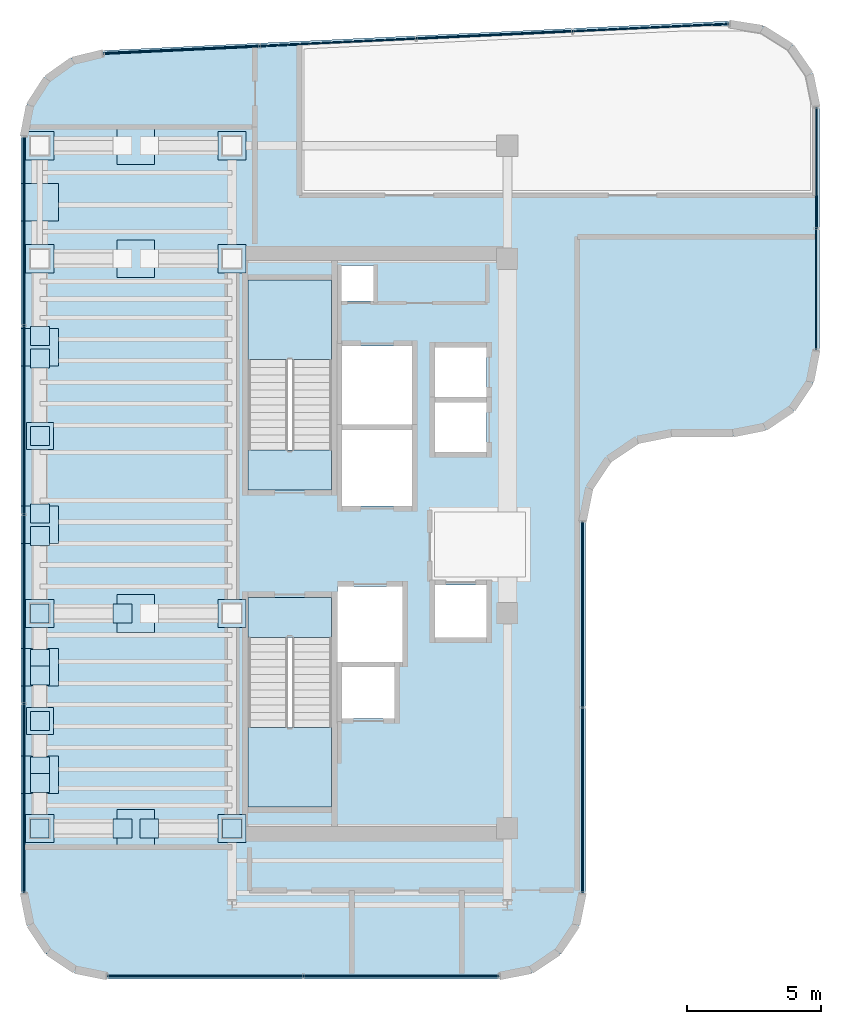
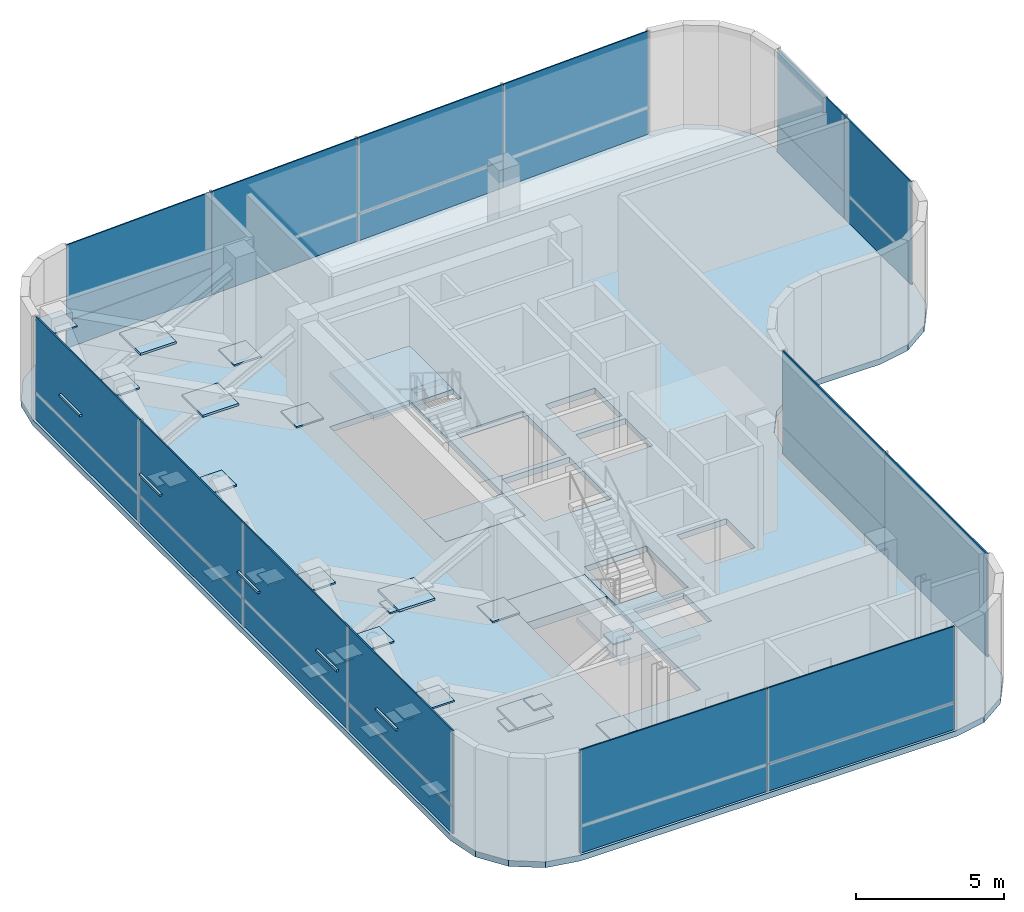
# One storey, part 15 of 19: 56 plates, 5 slabs, 7 elements without a shape of their own.
"""IFC4 building model written with IfcOpenShell, lengths in metres."""

from ifc_helpers import new_model, si_unit, direction, frame, origin, origin_2d, place, context, subcontext, project, spatial, polyline, rectangle, outline, extrude, source, transform, mapped, material, layer, layer_set, type_object, element, aggregate, save


model = new_model("IFC4")

# Units and contexts
model_context = context("Model", 3, precision=1e-05, world=origin(), true_north=direction((0.0, 1.0)))
body_context = subcontext(model_context, "Body", "Model", "MODEL_VIEW")
ifc_project = project(units=[si_unit("LENGTHUNIT", "METRE"), si_unit("AREAUNIT", "SQUARE_METRE"), si_unit("VOLUMEUNIT", "CUBIC_METRE"), si_unit("PLANEANGLEUNIT", "RADIAN"), si_unit("MASSUNIT", "GRAM", prefix="KILO")], contexts=[model_context])

# Site, building, storey
site_placement = place(None, origin())
site = spatial("IfcSite", under=ifc_project, at=site_placement, CompositionType="ELEMENT")
building_placement = place(site_placement, origin())
building = spatial("IfcBuilding", under=site, at=building_placement, Name="Valdorenza Pilgrim Sanctuary Tower", CompositionType="ELEMENT")
storey_placement = place(building_placement, frame((0.0, 0.0, 261.5)))
storey = spatial("IfcBuildingStorey", under=building, at=storey_placement, Name="L68", CompositionType="ELEMENT", Elevation=261.5)

# Slab
ifc_material_1 = material(Name="Concrete C40/50", Category="concrete")
ifc_layer_1 = layer(ifc_material_1, 0.239990234375, Name="Concrete C40/50")
ifc_layer_set_1 = layer_set([ifc_layer_1], Name="Concrete C40/50")
slab_type_1 = type_object("IfcSlabType", Name="SLAB-PLT-240", PredefinedType="FLOOR", material=ifc_layer_set_1)
slab_1_placement = place(storey_placement, frame((0.0, 0.0, -0.239990234375)))
element("IfcSlab", 1, at=slab_1_placement, inside=storey, type_object=slab_type_1, Name="L68 Structural Floor Slab 1", PredefinedType="FLOOR", context=body_context, shape_type="SweptSolid", body=[
    extrude(outline(polyline([(-30.5, 15.147216796875), (-30.2705078125, 16.3369140625), (-29.615478515625, 17.356201171875), (-28.628173828125, 18.05859375), (-27.45068359375, 18.34375), (-4.150634765625, 19.442138671875), (-2.880615234375, 19.243408203125), (-1.791259765625, 18.56103515625), (-1.05810546875, 17.5048828125), (-0.800048828125, 16.24560546875), (-0.800048828125, 7.199951171875), (-1.043701171875, 5.975341796875), (-1.7373046875, 4.937255859375), (-2.775390625, 4.24365234375), (-4.0, 4.0), (-6.300048828125, 4.0), (-7.524658203125, 3.75634765625), (-8.562744140625, 3.062744140625), (-9.25634765625, 2.024658203125), (-9.5, 0.800048828125), (-9.5, -13.0), (-9.74365234375, -14.224609375), (-10.437255859375, -15.2626953125), (-11.475341796875, -15.956298828125), (-12.699951171875, -16.199951171875), (-27.300048828125, -16.199951171875), (-28.524658203125, -15.956298828125), (-29.562744140625, -15.2626953125), (-30.25634765625, -14.224609375), (-30.5, -13.0), (-30.5, 15.147216796875)]), holes=[polyline([(-22.050048828125, -9.800048828125), (-18.93994140625, -9.800048828125), (-18.93994140625, -3.485107421875), (-18.93994140625, -2.0), (-22.050048828125, -2.0), (-22.050048828125, -3.485107421875), (-22.050048828125, -9.800048828125)]), polyline([(-16.60009765625, -6.5), (-16.60009765625, -4.60009765625), (-18.550048828125, -4.60009765625), (-18.550048828125, -6.5), (-16.60009765625, -6.5)]), polyline([(-22.050048828125, 2.0), (-18.93994140625, 2.0), (-18.93994140625, 3.485107421875), (-18.93994140625, 9.800048828125), (-22.050048828125, 9.800048828125), (-22.050048828125, 3.485107421875), (-22.050048828125, 2.0)]), polyline([(-17.360107421875, 9.030029296875), (-17.360107421875, 10.35009765625), (-18.570068359375, 10.35009765625), (-18.570068359375, 9.030029296875), (-17.360107421875, 9.030029296875)]), polyline([(-16.300048828125, -1.60009765625), (-18.719970703125, -1.60009765625), (-18.719970703125, -4.39990234375), (-16.300048828125, -4.39990234375), (-16.300048828125, -1.60009765625)]), polyline([(-13.179931640625, -3.5), (-13.179931640625, -1.550048828125), (-15.10009765625, -1.550048828125), (-15.10009765625, -3.5), (-13.179931640625, -3.5)]), polyline([(-15.949951171875, 1.39990234375), (-15.949951171875, 4.22509765625), (-18.550048828125, 4.22509765625), (-18.550048828125, 1.39990234375), (-15.949951171875, 1.39990234375)]), polyline([(-13.179931640625, 5.25), (-15.10009765625, 5.25), (-15.10009765625, 3.39990234375), (-13.179931640625, 3.39990234375), (-13.179931640625, 5.25)]), polyline([(-15.949951171875, 4.425048828125), (-15.949951171875, 7.35009765625), (-18.550048828125, 7.35009765625), (-18.550048828125, 4.425048828125), (-15.949951171875, 4.425048828125)]), polyline([(-13.179931640625, 5.449951171875), (-13.179931640625, 7.300048828125), (-15.10009765625, 7.300048828125), (-15.10009765625, 5.449951171875), (-13.179931640625, 5.449951171875)])]), origin(), (0.0, 0.0, 1.0), 0.239990234375),
])

# Stair, slab
stair_type = type_object("IfcStairType", Name="STR-DOG-CORE", PredefinedType="HALF_TURN_STAIR", material=ifc_material_1)
stair_1_placement = place(storey_placement, origin())
stair_1 = element("IfcStair", 2, at=stair_1_placement, inside=storey, type_object=stair_type, Name="L68 ST-A1", PredefinedType="HALF_TURN_STAIR")
ifc_layer_2 = layer(ifc_material_1, 0.199951171875, Name="Concrete C40/50")
ifc_layer_set_2 = layer_set([ifc_layer_2], Name="Concrete C40/50")
slab_type_2 = type_object("IfcSlabType", Name="SLAB-STL-200", PredefinedType="LANDING", material=ifc_layer_set_2)
slab_2_placement = place(storey_placement, frame((0.0, 0.0, 2.050048828125)))
slab_2 = element("IfcSlab", 3, at=slab_2_placement, type_object=slab_type_2, Name="ST-A1 landing 1", PredefinedType="LANDING", context=body_context, shape_type="SweptSolid", body=[
    extrude(outline(polyline([(-18.93994140625, 6.840087890625), (-18.93994140625, 9.800048828125), (-22.050048828125, 9.800048828125), (-22.050048828125, 6.840087890625), (-18.93994140625, 6.840087890625)])), origin(), (0.0, 0.0, 1.0), 0.199951171875),
])
aggregate(stair_1, [slab_2])

stair_2_placement = place(storey_placement, origin())
stair_2 = element("IfcStair", 4, at=stair_2_placement, inside=storey, type_object=stair_type, Name="L68 ST-A2", PredefinedType="HALF_TURN_STAIR")
slab_3_placement = place(storey_placement, frame((0.0, 0.0, 2.050048828125)))
slab_3 = element("IfcSlab", 5, at=slab_3_placement, type_object=slab_type_2, Name="ST-A2 landing 1", PredefinedType="LANDING", context=body_context, shape_type="SweptSolid", body=[
    extrude(outline(polyline([(-22.050048828125, -6.840087890625), (-22.050048828125, -9.800048828125), (-18.93994140625, -9.800048828125), (-18.93994140625, -6.840087890625), (-22.050048828125, -6.840087890625)])), origin(), (0.0, 0.0, 1.0), 0.199951171875),
])
aggregate(stair_2, [slab_3])

# Slabs
ifc_material_2 = material(Name="Concrete C50/60", Category="concrete")
ifc_layer_3 = layer(ifc_material_2, 0.39990234375, Name="Concrete C50/60")
ifc_layer_set_3 = layer_set([ifc_layer_3], Name="Concrete C50/60")
slab_type_3 = type_object("IfcSlabType", Name="SLAB-TRF-400", PredefinedType="FLOOR", material=ifc_layer_set_3)
slab_4_placement = place(storey_placement, frame((0.0, 0.0, -0.360107421875)))
element("IfcSlab", 6, at=slab_4_placement, inside=storey, type_object=slab_type_3, Name="L68 ST-A1 Structural Stair Landing Bearing Slab", PredefinedType="FLOOR", context=body_context, shape_type="SweptSolid", body=[
    extrude(outline(polyline([(-22.050048828125, 2.0), (-18.93994140625, 2.0), (-18.93994140625, 3.485107421875), (-22.050048828125, 3.485107421875), (-22.050048828125, 2.0)])), origin(), (0.0, 0.0, 1.0), 0.360107421875),
])
slab_5_placement = place(storey_placement, frame((0.0, 0.0, -0.360107421875)))
element("IfcSlab", 7, at=slab_5_placement, inside=storey, type_object=slab_type_3, Name="L68 ST-A2 Structural Stair Landing Bearing Slab", PredefinedType="FLOOR", context=body_context, shape_type="SweptSolid", body=[
    extrude(outline(polyline([(-22.050048828125, -3.485107421875), (-18.93994140625, -3.485107421875), (-18.93994140625, -2.0), (-22.050048828125, -2.0), (-22.050048828125, -3.485107421875)])), origin(), (0.0, 0.0, 1.0), 0.360107421875),
])

# Plates
ifc_material_3 = material(Name="Steel ASTM A572 Grade 42", Category="steel")
ifc_layer_4 = layer(ifc_material_3, 0.06005859375, Name="Steel ASTM A572 Grade 42")
ifc_layer_set_4 = layer_set([ifc_layer_4], Name="Steel ASTM A572 Grade 42")
plate_type_1 = type_object("IfcPlateType", Name="PLT-CAP-60", PredefinedType="SHEET", material=ifc_layer_set_4)
shared_shape_1 = source(origin(), body_context, "Body", "SweptSolid", [
    extrude(rectangle(XDim=1.050048828125, YDim=1.050048828125, at=origin_2d()), origin(), (0.0, 0.0, 1.0), 0.06005859375),
])
for number, where, z_axis, x_axis, name in (
    (8, (-22.64990234375, -10.60009765625, 0.169921875), (0.0, 0.0, 1.0), (1.0, 0.0, 0.0), "L68 Outrigger Truss Diagonal WA1A End Connection Plate 1"),
    (9, (-29.800048828125, -10.60009765625, 3.919921875), (0.0, 0.0, 1.0), (1.0, 0.0, 0.0), "L68 Outrigger Truss Diagonal WA1A End Connection Plate 2"),
    (10, (-22.64990234375, -2.60009765625, 0.169921875), (0.0, 0.0, 1.0), (1.0, 0.0, 0.0), "L68 Outrigger Truss Diagonal WA2A End Connection Plate 1"),
    (11, (-29.800048828125, -2.60009765625, 3.919921875), (0.0, 0.0, 1.0), (1.0, 0.0, 0.0), "L68 Outrigger Truss Diagonal WA2A End Connection Plate 2"),
    (12, (-22.64990234375, 10.60009765625, 0.169921875), (0.0, 0.0, 1.0), (1.0, 0.0, 0.0), "L68 Outrigger Truss Diagonal WA3A End Connection Plate 1"),
    (13, (-29.800048828125, 10.60009765625, 3.919921875), (0.0, 0.0, 1.0), (1.0, 0.0, 0.0), "L68 Outrigger Truss Diagonal WA3A End Connection Plate 2"),
    (14, (-22.64990234375, 14.800048828125, 0.169921875), (0.0, 0.0, 1.0), (1.0, 0.0, 0.0), "L68 Outrigger Truss Diagonal WA4A End Connection Plate 1"),
    (15, (-29.800048828125, 14.800048828125, 3.919921875), (0.0, 0.0, 1.0), (1.0, 0.0, 0.0), "L68 Outrigger Truss Diagonal WA4A End Connection Plate 2"),
):
    element("IfcPlate", number, at=place(storey_placement, frame(where, z_axis=z_axis, x_axis=x_axis)), inside=storey, type_object=plate_type_1, Name=name, PredefinedType="SHEET", context=body_context, shape_type="MappedRepresentation", body=[
        mapped(shared_shape_1, transform((0.0, 0.0, 0.0), x_axis=(1.0, 0.0, 0.0), y_axis=(0.0, 1.0, 0.0), z_axis=(0.0, 0.0, 1.0), scale=1.0)),
    ])
ifc_layer_5 = layer(ifc_material_3, 0.090087890625, Name="Steel ASTM A572 Grade 42")
ifc_layer_set_5 = layer_set([ifc_layer_5], Name="Steel ASTM A572 Grade 42")
plate_type_2 = type_object("IfcPlateType", Name="PLT-GUS-90", PredefinedType="USERDEFINED", material=ifc_layer_set_5)
shared_shape_2 = source(origin(), body_context, "Body", "SweptSolid", [
    extrude(rectangle(XDim=1.39990234375, YDim=1.39990234375, at=origin_2d()), origin(), (0.0, 0.0, 1.0), 0.090087890625),
])
for number, where, z_axis, x_axis, name in (
    (16, (-26.22509765625, -10.60009765625, 2.02978515625), (0.0, 0.0, 1.0), (1.0, 0.0, 0.0), "Truss X-Brace Node Gusset Assembly ON-01 (MB-OUT-L68-WA1A)"),
    (17, (-26.22509765625, -2.60009765625, 2.02978515625), (0.0, 0.0, 1.0), (1.0, 0.0, 0.0), "Truss X-Brace Node Gusset Assembly ON-01 (MB-OUT-L68-WA2A)"),
    (18, (-26.22509765625, 10.60009765625, 2.02978515625), (0.0, 0.0, 1.0), (1.0, 0.0, 0.0), "Truss X-Brace Node Gusset Assembly ON-01 (MB-OUT-L68-WA3A)"),
    (19, (-26.22509765625, 14.800048828125, 2.02978515625), (0.0, 0.0, 1.0), (1.0, 0.0, 0.0), "Truss X-Brace Node Gusset Assembly ON-01 (MB-OUT-L68-WA4A)"),
    (20, (-29.800048828125, -8.60009765625, 2.02978515625), (0.0, 0.0, 1.0), (1.0, 0.0, 0.0), "Truss X-Brace Node Gusset Assembly BN-01 (MB-BLT-L68-W1)"),
    (21, (-29.800048828125, -4.60009765625, 2.02978515625), (0.0, 0.0, 1.0), (1.0, 0.0, 0.0), "Truss X-Brace Node Gusset Assembly BN-01 (MB-BLT-L68-W2)"),
    (22, (-29.800048828125, 0.699951171875, 2.02978515625), (0.0, 0.0, 1.0), (1.0, 0.0, 0.0), "Truss X-Brace Node Gusset Assembly BN-01 (MB-BLT-L68-W3)"),
    (23, (-29.800048828125, 7.300048828125, 2.02978515625), (0.0, 0.0, 1.0), (1.0, 0.0, 0.0), "Truss X-Brace Node Gusset Assembly BN-01 (MB-BLT-L68-W4)"),
    (24, (-29.800048828125, 12.699951171875, 2.02978515625), (0.0, 0.0, 1.0), (1.0, 0.0, 0.0), "Truss Node Gusset Assembly BN-01 (MB-BLT-L68-W5)"),
):
    element("IfcPlate", number, at=place(storey_placement, frame(where, z_axis=z_axis, x_axis=x_axis)), inside=storey, type_object=plate_type_2, Name=name, ObjectType="GUSSET PLATE", PredefinedType="USERDEFINED", context=body_context, shape_type="MappedRepresentation", body=[
        mapped(shared_shape_2, transform((0.0, 0.0, 0.0), x_axis=(1.0, 0.0, 0.0), y_axis=(0.0, 1.0, 0.0), z_axis=(0.0, 0.0, 1.0), scale=1.0)),
    ])
shared_shape_3 = source(origin(), body_context, "Body", "SweptSolid", [
    extrude(rectangle(XDim=0.699951171875, YDim=0.699951171875, at=origin_2d()), origin(), (0.0, 0.0, 1.0), 0.06005859375),
])
for number, where, z_axis, x_axis, name in (
    (25, (-22.64990234375, -10.60009765625, 3.919921875), (0.0, 0.0, 1.0), (1.0, 0.0, 0.0), "L68 Outrigger Truss Counter-Diagonal WA1B Lower Segment End Connection Plate 1"),
    (26, (-25.72998046875, -10.60009765625, 2.3046875), (0.0, 0.0, 1.0), (1.0, 0.0, 0.0), "L68 Outrigger Truss Counter-Diagonal WA1B Lower Segment End Connection Plate 2"),
    (27, (-26.719970703125, -10.60009765625, 1.785400390625), (0.0, 0.0, 1.0), (1.0, 0.0, 0.0), "L68 Outrigger Truss Counter-Diagonal WA1B Upper Segment End Connection Plate 1"),
    (28, (-29.800048828125, -10.60009765625, 0.169921875), (0.0, 0.0, 1.0), (1.0, 0.0, 0.0), "L68 Outrigger Truss Counter-Diagonal WA1B Upper Segment End Connection Plate 2"),
    (29, (-26.719970703125, -2.60009765625, 1.785400390625), (0.0, 0.0, 1.0), (1.0, 0.0, 0.0), "L68 Outrigger Truss Counter-Diagonal WA2B Upper Segment End Connection Plate 1"),
    (30, (-29.800048828125, -2.60009765625, 0.169921875), (0.0, 0.0, 1.0), (1.0, 0.0, 0.0), "L68 Outrigger Truss Counter-Diagonal WA2B Upper Segment End Connection Plate 2"),
):
    element("IfcPlate", number, at=place(storey_placement, frame(where, z_axis=z_axis, x_axis=x_axis)), inside=storey, type_object=plate_type_1, Name=name, PredefinedType="SHEET", context=body_context, shape_type="MappedRepresentation", body=[
        mapped(shared_shape_3, transform((0.0, 0.0, 0.0), x_axis=(1.0, 0.0, 0.0), y_axis=(0.0, 1.0, 0.0), z_axis=(0.0, 0.0, 1.0), scale=1.0)),
    ])
shared_shape_4 = source(origin(), body_context, "Body", "SweptSolid", [
    extrude(rectangle(XDim=1.0, YDim=1.0, at=origin_2d()), origin(), (0.0, 0.0, 1.0), 0.06005859375),
])
for number, where, z_axis, x_axis, name in (
    (31, (-29.800048828125, -6.60009765625, 3.919921875), (0.0, 0.0, 1.0), (1.0, 0.0, 0.0), "L68 Perimeter Belt Truss Diagonal W1 End Connection Plate 2"),
    (32, (-29.800048828125, 4.0, 3.919921875), (0.0, 0.0, 1.0), (1.0, 0.0, 0.0), "L68 Perimeter Belt Truss Diagonal W3 End Connection Plate 2"),
):
    element("IfcPlate", number, at=place(storey_placement, frame(where, z_axis=z_axis, x_axis=x_axis)), inside=storey, type_object=plate_type_1, Name=name, PredefinedType="SHEET", context=body_context, shape_type="MappedRepresentation", body=[
        mapped(shared_shape_4, transform((0.0, 0.0, 0.0), x_axis=(1.0, 0.0, 0.0), y_axis=(0.0, 1.0, 0.0), z_axis=(0.0, 0.0, 1.0), scale=1.0)),
    ])
shared_shape_5 = source(origin(), body_context, "Body", "SweptSolid", [
    extrude(rectangle(XDim=0.7080078125, YDim=0.7080078125, at=origin_2d()), origin(), (0.0, 0.0, 1.0), 0.06005859375),
])
for number, where, z_axis, x_axis, name in (
    (33, (-29.800048828125, -8.901123046875, 2.327392578125), (0.0, 0.0, 1.0), (1.0, 0.0, 0.0), "L68 Perimeter Counter-Belt Strut CW1 Lower Segment End Connection Plate 2"),
    (34, (-29.800048828125, -8.298828125, 1.7626953125), (0.0, 0.0, 1.0), (1.0, 0.0, 0.0), "L68 Perimeter Counter-Belt Strut CW1 Upper Segment End Connection Plate 1"),
    (35, (-29.800048828125, -6.60009765625, 0.169921875), (0.0, 0.0, 1.0), (1.0, 0.0, 0.0), "L68 Perimeter Counter-Belt Strut CW1 Upper Segment End Connection Plate 2"),
    (36, (-29.800048828125, -4.901123046875, 2.327392578125), (0.0, 0.0, 1.0), (1.0, 0.0, 0.0), "L68 Perimeter Counter-Belt Strut CW2 Lower Segment End Connection Plate 2"),
    (37, (-29.800048828125, -4.298828125, 1.7626953125), (0.0, 0.0, 1.0), (1.0, 0.0, 0.0), "L68 Perimeter Counter-Belt Strut CW2 Upper Segment End Connection Plate 1"),
    (38, (-29.800048828125, 0.28466796875, 2.28076171875), (0.0, 0.0, 1.0), (1.0, 0.0, 0.0), "L68 Perimeter Counter-Belt Strut CW3 Lower Segment End Connection Plate 2"),
    (39, (-29.800048828125, 1.115234375, 1.80908203125), (0.0, 0.0, 1.0), (1.0, 0.0, 0.0), "L68 Perimeter Counter-Belt Strut CW3 Upper Segment End Connection Plate 1"),
    (40, (-29.800048828125, 4.0, 0.169921875), (0.0, 0.0, 1.0), (1.0, 0.0, 0.0), "L68 Perimeter Counter-Belt Strut CW3 Upper Segment End Connection Plate 2"),
    (41, (-29.800048828125, 6.884765625, 2.28076171875), (0.0, 0.0, 1.0), (1.0, 0.0, 0.0), "L68 Perimeter Counter-Belt Strut CW4 Lower Segment End Connection Plate 2"),
    (42, (-29.800048828125, 7.71533203125, 1.80908203125), (0.0, 0.0, 1.0), (1.0, 0.0, 0.0), "L68 Perimeter Counter-Belt Strut CW4 Upper Segment End Connection Plate 1"),
):
    element("IfcPlate", number, at=place(storey_placement, frame(where, z_axis=z_axis, x_axis=x_axis)), inside=storey, type_object=plate_type_1, Name=name, PredefinedType="SHEET", context=body_context, shape_type="MappedRepresentation", body=[
        mapped(shared_shape_5, transform((0.0, 0.0, 0.0), x_axis=(1.0, 0.0, 0.0), y_axis=(0.0, 1.0, 0.0), z_axis=(0.0, 0.0, 1.0), scale=1.0)),
    ])

# Curtain wall, plates
ifc_material_4 = material(Name="Curtain-wall IGU glazing", Category="glass")
curtain_wall_type = type_object("IfcCurtainWallType", Name="CW-SYS-02", PredefinedType="NOTDEFINED", material=ifc_material_4)
curtain_wall_1_placement = place(storey_placement, origin())
curtain_wall_1 = element("IfcCurtainWall", 43, at=curtain_wall_1_placement, inside=storey, type_object=curtain_wall_type, Name="L68 Curtain Wall CW-L68-1-6", PredefinedType="NOTDEFINED")
ifc_material_5 = material(Name="Honed travertine limestone", Category="masonry")
ifc_layer_6 = layer(ifc_material_5, 0.050048828125, Name="Honed travertine limestone")
ifc_layer_set_6 = layer_set([ifc_layer_6], Name="Honed travertine limestone")
plate_type_3 = type_object("IfcPlateType", Name="CW-SPN-TRV", PredefinedType="USERDEFINED", material=ifc_layer_set_6)
shared_shape_6 = source(origin(), body_context, "Body", "SweptSolid", [
    extrude(rectangle(XDim=5.805908203125, YDim=0.06005859375, at=origin_2d()), origin(), (0.0, 0.0, 1.0), 1.10009765625),
])
plate_1_placement = place(storey_placement, frame((-24.525146484375, 18.37158203125, 0.010009765625), z_axis=(0.0, 0.0, 1.0), x_axis=(0.998890696972, 0.047089016785, 0.0)))
plate_1 = element("IfcPlate", 44, at=plate_1_placement, type_object=plate_type_3, Name="CW-L68-1-6 Travertine Spandrel 1", ObjectType="SPANDREL", PredefinedType="USERDEFINED", context=body_context, shape_type="MappedRepresentation", body=[
    mapped(shared_shape_6, transform((0.0, 0.0, 0.0), x_axis=(1.0, 0.0, 0.0), y_axis=(0.0, 1.0, 0.0), z_axis=(0.0, 0.0, 1.0), scale=1.0)),
])
plate_2_placement = place(storey_placement, frame((-12.885986328125, 18.920166015625, 0.010009765625), z_axis=(0.0, 0.0, 1.0), x_axis=(0.998890696972, 0.047089016785, 0.0)))
plate_2 = element("IfcPlate", 45, at=plate_2_placement, type_object=plate_type_3, Name="CW-L68-1-6 Travertine Spandrel 3", ObjectType="SPANDREL", PredefinedType="USERDEFINED", context=body_context, shape_type="MappedRepresentation", body=[
    mapped(shared_shape_6, transform((0.0, 0.0, 0.0), x_axis=(1.0, 0.0, 0.0), y_axis=(0.0, 1.0, 0.0), z_axis=(0.0, 0.0, 1.0), scale=1.0)),
])

# Curtain wall, plate
curtain_wall_2_placement = place(storey_placement, origin())
curtain_wall_2 = element("IfcCurtainWall", 46, at=curtain_wall_2_placement, inside=storey, type_object=curtain_wall_type, Name="L68 Curtain Wall CW-L68-1-11", PredefinedType="NOTDEFINED")
shared_shape_7 = source(origin(), body_context, "Body", "SweptSolid", [
    extrude(rectangle(XDim=4.49169921875, YDim=0.06005859375, at=origin_2d()), origin(), (0.0, 0.0, 1.0), 1.10009765625),
])
plate_3_placement = place(storey_placement, frame((-0.909912109375, 13.978515625, 0.010009765625), z_axis=(0.0, 0.0, 1.0), x_axis=(0.0, -1.0, 0.0)))
plate_3 = element("IfcPlate", 47, at=plate_3_placement, type_object=plate_type_3, Name="CW-L68-1-11 Travertine Spandrel 1", ObjectType="SPANDREL", PredefinedType="USERDEFINED", context=body_context, shape_type="MappedRepresentation", body=[
    mapped(shared_shape_7, transform((0.0, 0.0, 0.0), x_axis=(1.0, 0.0, 0.0), y_axis=(0.0, 1.0, 0.0), z_axis=(0.0, 0.0, 1.0), scale=1.0)),
])

curtain_wall_3_placement = place(storey_placement, origin())
curtain_wall_3 = element("IfcCurtainWall", 48, at=curtain_wall_3_placement, inside=storey, type_object=curtain_wall_type, Name="L68 Curtain Wall CW-L68-1-21", PredefinedType="NOTDEFINED")
shared_shape_8 = source(origin(), body_context, "Body", "SweptSolid", [
    extrude(rectangle(XDim=6.8798828125, YDim=0.06005859375, at=origin_2d()), origin(), (0.0, 0.0, 1.0), 1.10009765625),
])
plate_4_placement = place(storey_placement, frame((-9.610107421875, -2.63916015625, 0.010009765625), z_axis=(0.0, 0.0, 1.0), x_axis=(0.0, -1.0, 0.0)))
plate_4 = element("IfcPlate", 49, at=plate_4_placement, type_object=plate_type_3, Name="CW-L68-1-21 Travertine Spandrel 1", ObjectType="SPANDREL", PredefinedType="USERDEFINED", context=body_context, shape_type="MappedRepresentation", body=[
    mapped(shared_shape_8, transform((0.0, 0.0, 0.0), x_axis=(1.0, 0.0, 0.0), y_axis=(0.0, 1.0, 0.0), z_axis=(0.0, 0.0, 1.0), scale=1.0)),
])

curtain_wall_4_placement = place(storey_placement, origin())
curtain_wall_4 = element("IfcCurtainWall", 50, at=curtain_wall_4_placement, inside=storey, type_object=curtain_wall_type, Name="L68 Curtain Wall CW-L68-1-26", PredefinedType="NOTDEFINED")
shared_shape_9 = source(origin(), body_context, "Body", "SweptSolid", [
    extrude(rectangle(XDim=7.269287109375, YDim=0.06005859375, at=origin_2d()), origin(), (0.0, 0.0, 1.0), 1.10009765625),
])
plate_5_placement = place(storey_placement, frame((-16.35546875, -16.090087890625, 0.010009765625), z_axis=(0.0, 0.0, 1.0), x_axis=(-1.0, 0.0, 0.0)))
plate_5 = element("IfcPlate", 51, at=plate_5_placement, type_object=plate_type_3, Name="CW-L68-1-26 Travertine Spandrel 1", ObjectType="SPANDREL", PredefinedType="USERDEFINED", context=body_context, shape_type="MappedRepresentation", body=[
    mapped(shared_shape_9, transform((0.0, 0.0, 0.0), x_axis=(1.0, 0.0, 0.0), y_axis=(0.0, 1.0, 0.0), z_axis=(0.0, 0.0, 1.0), scale=1.0)),
])

# Curtain wall, plates
curtain_wall_5_placement = place(storey_placement, origin())
curtain_wall_5 = element("IfcCurtainWall", 52, at=curtain_wall_5_placement, inside=storey, type_object=curtain_wall_type, Name="L68 Curtain Wall CW-L68-1-1", PredefinedType="NOTDEFINED")
shared_shape_10 = source(origin(), body_context, "Body", "SweptSolid", [
    extrude(rectangle(XDim=7.011474609375, YDim=0.06005859375, at=origin_2d()), origin(), (0.0, 0.0, 1.0), 1.10009765625),
])
plate_6_placement = place(storey_placement, frame((-30.389892578125, -9.473388671875, 0.010009765625), z_axis=(0.0, 0.0, 1.0), x_axis=(0.0, 1.0, 0.0)))
plate_6 = element("IfcPlate", 53, at=plate_6_placement, type_object=plate_type_3, Name="CW-L68-1-1 Travertine Spandrel 1", ObjectType="SPANDREL", PredefinedType="USERDEFINED", context=body_context, shape_type="MappedRepresentation", body=[
    mapped(shared_shape_10, transform((0.0, 0.0, 0.0), x_axis=(1.0, 0.0, 0.0), y_axis=(0.0, 1.0, 0.0), z_axis=(0.0, 0.0, 1.0), scale=1.0)),
])
plate_7_placement = place(storey_placement, frame((-30.389892578125, 4.589599609375, 0.010009765625), z_axis=(0.0, 0.0, 1.0), x_axis=(0.0, 1.0, 0.0)))
plate_7 = element("IfcPlate", 54, at=plate_7_placement, type_object=plate_type_3, Name="CW-L68-1-1 Travertine Spandrel 3", ObjectType="SPANDREL", PredefinedType="USERDEFINED", context=body_context, shape_type="MappedRepresentation", body=[
    mapped(shared_shape_10, transform((0.0, 0.0, 0.0), x_axis=(1.0, 0.0, 0.0), y_axis=(0.0, 1.0, 0.0), z_axis=(0.0, 0.0, 1.0), scale=1.0)),
])
ifc_material_6 = material(Name="Champagne anodised aluminium", Category="aluminium")
ifc_layer_7 = layer(ifc_material_6, 0.080078125, Name="Champagne anodised aluminium")
ifc_layer_set_7 = layer_set([ifc_layer_7], Name="Champagne anodised aluminium")
plate_type_4 = type_object("IfcPlateType", Name="LVR-PLT-ALU", PredefinedType="USERDEFINED", material=ifc_layer_set_7)
shared_shape_11 = source(origin(), body_context, "Body", "SweptSolid", [
    extrude(rectangle(XDim=7.011474609375, YDim=0.050048828125, at=origin_2d()), origin(), (0.0, 0.0, 1.0), 3.1201171875),
])
plate_8_placement = place(storey_placement, frame((-30.389892578125, -9.473388671875, 1.1298828125), z_axis=(0.0, 0.0, 1.0), x_axis=(0.0, 1.0, 0.0)))
plate_8 = element("IfcPlate", 55, at=plate_8_placement, type_object=plate_type_4, Name="CW-L68-1-1 Facade Panel 1", ObjectType="LOUVRE", PredefinedType="USERDEFINED", context=body_context, shape_type="MappedRepresentation", body=[
    mapped(shared_shape_11, transform((0.0, 0.0, 0.0), x_axis=(1.0, 0.0, 0.0), y_axis=(0.0, 1.0, 0.0), z_axis=(0.0, 0.0, 1.0), scale=1.0)),
])
plate_9_placement = place(storey_placement, frame((-30.389892578125, 4.589599609375, 1.1298828125), z_axis=(0.0, 0.0, 1.0), x_axis=(0.0, 1.0, 0.0)))
plate_9 = element("IfcPlate", 56, at=plate_9_placement, type_object=plate_type_4, Name="CW-L68-1-1 Facade Panel 3", ObjectType="LOUVRE", PredefinedType="USERDEFINED", context=body_context, shape_type="MappedRepresentation", body=[
    mapped(shared_shape_11, transform((0.0, 0.0, 0.0), x_axis=(1.0, 0.0, 0.0), y_axis=(0.0, 1.0, 0.0), z_axis=(0.0, 0.0, 1.0), scale=1.0)),
])
shared_shape_12 = source(origin(), body_context, "Body", "SweptSolid", [
    extrude(rectangle(XDim=7.011474609375, YDim=0.050048828125, at=origin_2d()), origin(), (0.0, 0.0, 1.0), 4.239990234375),
])
plate_10_placement = place(storey_placement, frame((-30.389892578125, -2.44189453125, 0.009765625), z_axis=(0.0, 0.0, 1.0), x_axis=(0.0, 1.0, 0.0)))
plate_10 = element("IfcPlate", 57, at=plate_10_placement, type_object=plate_type_4, Name="CW-L68-1-1 Full-Height Facade Panel 2", ObjectType="LOUVRE", PredefinedType="USERDEFINED", context=body_context, shape_type="MappedRepresentation", body=[
    mapped(shared_shape_12, transform((0.0, 0.0, 0.0), x_axis=(1.0, 0.0, 0.0), y_axis=(0.0, 1.0, 0.0), z_axis=(0.0, 0.0, 1.0), scale=1.0)),
])
plate_11_placement = place(storey_placement, frame((-30.389892578125, 11.62109375, 0.009765625), z_axis=(0.0, 0.0, 1.0), x_axis=(0.0, 1.0, 0.0)))
plate_11 = element("IfcPlate", 58, at=plate_11_placement, type_object=plate_type_4, Name="CW-L68-1-1 Full-Height Facade Panel 4", ObjectType="LOUVRE", PredefinedType="USERDEFINED", context=body_context, shape_type="MappedRepresentation", body=[
    mapped(shared_shape_12, transform((0.0, 0.0, 0.0), x_axis=(1.0, 0.0, 0.0), y_axis=(0.0, 1.0, 0.0), z_axis=(0.0, 0.0, 1.0), scale=1.0)),
])
aggregate(curtain_wall_5, [plate_6, plate_8, plate_10, plate_7, plate_9, plate_11])

# Plate
shared_shape_13 = source(origin(), body_context, "Body", "SweptSolid", [
    extrude(rectangle(XDim=5.805908203125, YDim=0.050048828125, at=origin_2d()), origin(), (0.0, 0.0, 1.0), 3.1201171875),
])
plate_12_placement = place(storey_placement, frame((-24.525146484375, 18.37158203125, 1.1298828125), z_axis=(0.0, 0.0, 1.0), x_axis=(0.998890696972, 0.047089016785, 0.0)))
plate_12 = element("IfcPlate", 59, at=plate_12_placement, type_object=plate_type_4, Name="CW-L68-1-6 Facade Panel 1", ObjectType="LOUVRE", PredefinedType="USERDEFINED", context=body_context, shape_type="MappedRepresentation", body=[
    mapped(shared_shape_13, transform((0.0, 0.0, 0.0), x_axis=(1.0, 0.0, 0.0), y_axis=(0.0, 1.0, 0.0), z_axis=(0.0, 0.0, 1.0), scale=1.0)),
])

plate_13_placement = place(storey_placement, frame((-12.885986328125, 18.920166015625, 1.1298828125), z_axis=(0.0, 0.0, 1.0), x_axis=(0.998890696972, 0.047089016785, 0.0)))
plate_13 = element("IfcPlate", 60, at=plate_13_placement, type_object=plate_type_4, Name="CW-L68-1-6 Facade Panel 3", ObjectType="LOUVRE", PredefinedType="USERDEFINED", context=body_context, shape_type="MappedRepresentation", body=[
    mapped(shared_shape_13, transform((0.0, 0.0, 0.0), x_axis=(1.0, 0.0, 0.0), y_axis=(0.0, 1.0, 0.0), z_axis=(0.0, 0.0, 1.0), scale=1.0)),
])

shared_shape_14 = source(origin(), body_context, "Body", "SweptSolid", [
    extrude(rectangle(XDim=5.805908203125, YDim=0.050048828125, at=origin_2d()), origin(), (0.0, 0.0, 1.0), 4.239990234375),
])
plate_14_placement = place(storey_placement, frame((-18.70556640625, 18.645751953125, 0.009765625), z_axis=(0.0, 0.0, 1.0), x_axis=(0.998890696972, 0.047089016785, 0.0)))
plate_14 = element("IfcPlate", 61, at=plate_14_placement, type_object=plate_type_4, Name="CW-L68-1-6 Full-Height Facade Panel 2", ObjectType="LOUVRE", PredefinedType="USERDEFINED", context=body_context, shape_type="MappedRepresentation", body=[
    mapped(shared_shape_14, transform((0.0, 0.0, 0.0), x_axis=(1.0, 0.0, 0.0), y_axis=(0.0, 1.0, 0.0), z_axis=(0.0, 0.0, 1.0), scale=1.0)),
])

plate_15_placement = place(storey_placement, frame((-7.06640625, 19.194580078125, 0.009765625), z_axis=(0.0, 0.0, 1.0), x_axis=(0.998890696972, 0.047089016785, 0.0)))
plate_15 = element("IfcPlate", 62, at=plate_15_placement, type_object=plate_type_4, Name="CW-L68-1-6 Full-Height Facade Panel 4", ObjectType="LOUVRE", PredefinedType="USERDEFINED", context=body_context, shape_type="MappedRepresentation", body=[
    mapped(shared_shape_14, transform((0.0, 0.0, 0.0), x_axis=(1.0, 0.0, 0.0), y_axis=(0.0, 1.0, 0.0), z_axis=(0.0, 0.0, 1.0), scale=1.0)),
])

aggregate(curtain_wall_1, [plate_1, plate_12, plate_14, plate_2, plate_13, plate_15])

shared_shape_15 = source(origin(), body_context, "Body", "SweptSolid", [
    extrude(rectangle(XDim=4.49169921875, YDim=0.050048828125, at=origin_2d()), origin(), (0.0, 0.0, 1.0), 3.1201171875),
])
plate_16_placement = place(storey_placement, frame((-0.909912109375, 13.978515625, 1.1298828125), z_axis=(0.0, 0.0, 1.0), x_axis=(0.0, -1.0, 0.0)))
plate_16 = element("IfcPlate", 63, at=plate_16_placement, type_object=plate_type_4, Name="CW-L68-1-11 Facade Panel 1", ObjectType="LOUVRE", PredefinedType="USERDEFINED", context=body_context, shape_type="MappedRepresentation", body=[
    mapped(shared_shape_15, transform((0.0, 0.0, 0.0), x_axis=(1.0, 0.0, 0.0), y_axis=(0.0, 1.0, 0.0), z_axis=(0.0, 0.0, 1.0), scale=1.0)),
])

shared_shape_16 = source(origin(), body_context, "Body", "SweptSolid", [
    extrude(rectangle(XDim=4.49169921875, YDim=0.050048828125, at=origin_2d()), origin(), (0.0, 0.0, 1.0), 4.239990234375),
])
plate_17_placement = place(storey_placement, frame((-0.909912109375, 9.466796875, 0.009765625), z_axis=(0.0, 0.0, 1.0), x_axis=(0.0, -1.0, 0.0)))
plate_17 = element("IfcPlate", 64, at=plate_17_placement, type_object=plate_type_4, Name="CW-L68-1-11 Full-Height Facade Panel 2", ObjectType="LOUVRE", PredefinedType="USERDEFINED", context=body_context, shape_type="MappedRepresentation", body=[
    mapped(shared_shape_16, transform((0.0, 0.0, 0.0), x_axis=(1.0, 0.0, 0.0), y_axis=(0.0, 1.0, 0.0), z_axis=(0.0, 0.0, 1.0), scale=1.0)),
])

aggregate(curtain_wall_2, [plate_3, plate_16, plate_17])

shared_shape_17 = source(origin(), body_context, "Body", "SweptSolid", [
    extrude(rectangle(XDim=6.8798828125, YDim=0.050048828125, at=origin_2d()), origin(), (0.0, 0.0, 1.0), 3.1201171875),
])
plate_18_placement = place(storey_placement, frame((-9.610107421875, -2.63916015625, 1.1298828125), z_axis=(0.0, 0.0, 1.0), x_axis=(0.0, -1.0, 0.0)))
plate_18 = element("IfcPlate", 65, at=plate_18_placement, type_object=plate_type_4, Name="CW-L68-1-21 Facade Panel 1", ObjectType="LOUVRE", PredefinedType="USERDEFINED", context=body_context, shape_type="MappedRepresentation", body=[
    mapped(shared_shape_17, transform((0.0, 0.0, 0.0), x_axis=(1.0, 0.0, 0.0), y_axis=(0.0, 1.0, 0.0), z_axis=(0.0, 0.0, 1.0), scale=1.0)),
])

shared_shape_18 = source(origin(), body_context, "Body", "SweptSolid", [
    extrude(rectangle(XDim=6.8798828125, YDim=0.050048828125, at=origin_2d()), origin(), (0.0, 0.0, 1.0), 4.239990234375),
])
plate_19_placement = place(storey_placement, frame((-9.610107421875, -9.539306640625, 0.009765625), z_axis=(0.0, 0.0, 1.0), x_axis=(0.0, -1.0, 0.0)))
plate_19 = element("IfcPlate", 66, at=plate_19_placement, type_object=plate_type_4, Name="CW-L68-1-21 Full-Height Facade Panel 2", ObjectType="LOUVRE", PredefinedType="USERDEFINED", context=body_context, shape_type="MappedRepresentation", body=[
    mapped(shared_shape_18, transform((0.0, 0.0, 0.0), x_axis=(1.0, 0.0, 0.0), y_axis=(0.0, 1.0, 0.0), z_axis=(0.0, 0.0, 1.0), scale=1.0)),
])

aggregate(curtain_wall_3, [plate_4, plate_18, plate_19])

shared_shape_19 = source(origin(), body_context, "Body", "SweptSolid", [
    extrude(rectangle(XDim=7.269287109375, YDim=0.050048828125, at=origin_2d()), origin(), (0.0, 0.0, 1.0), 3.1201171875),
])
plate_20_placement = place(storey_placement, frame((-16.35546875, -16.090087890625, 1.1298828125), z_axis=(0.0, 0.0, 1.0), x_axis=(-1.0, 0.0, 0.0)))
plate_20 = element("IfcPlate", 67, at=plate_20_placement, type_object=plate_type_4, Name="CW-L68-1-26 Facade Panel 1", ObjectType="LOUVRE", PredefinedType="USERDEFINED", context=body_context, shape_type="MappedRepresentation", body=[
    mapped(shared_shape_19, transform((0.0, 0.0, 0.0), x_axis=(1.0, 0.0, 0.0), y_axis=(0.0, 1.0, 0.0), z_axis=(0.0, 0.0, 1.0), scale=1.0)),
])

shared_shape_20 = source(origin(), body_context, "Body", "SweptSolid", [
    extrude(rectangle(XDim=7.269287109375, YDim=0.050048828125, at=origin_2d()), origin(), (0.0, 0.0, 1.0), 4.239990234375),
])
plate_21_placement = place(storey_placement, frame((-23.64453125, -16.090087890625, 0.009765625), z_axis=(0.0, 0.0, 1.0), x_axis=(-1.0, 0.0, 0.0)))
plate_21 = element("IfcPlate", 68, at=plate_21_placement, type_object=plate_type_4, Name="CW-L68-1-26 Full-Height Facade Panel 2", ObjectType="LOUVRE", PredefinedType="USERDEFINED", context=body_context, shape_type="MappedRepresentation", body=[
    mapped(shared_shape_20, transform((0.0, 0.0, 0.0), x_axis=(1.0, 0.0, 0.0), y_axis=(0.0, 1.0, 0.0), z_axis=(0.0, 0.0, 1.0), scale=1.0)),
])

aggregate(curtain_wall_4, [plate_5, plate_20, plate_21])

save(model, "model.ifc")
